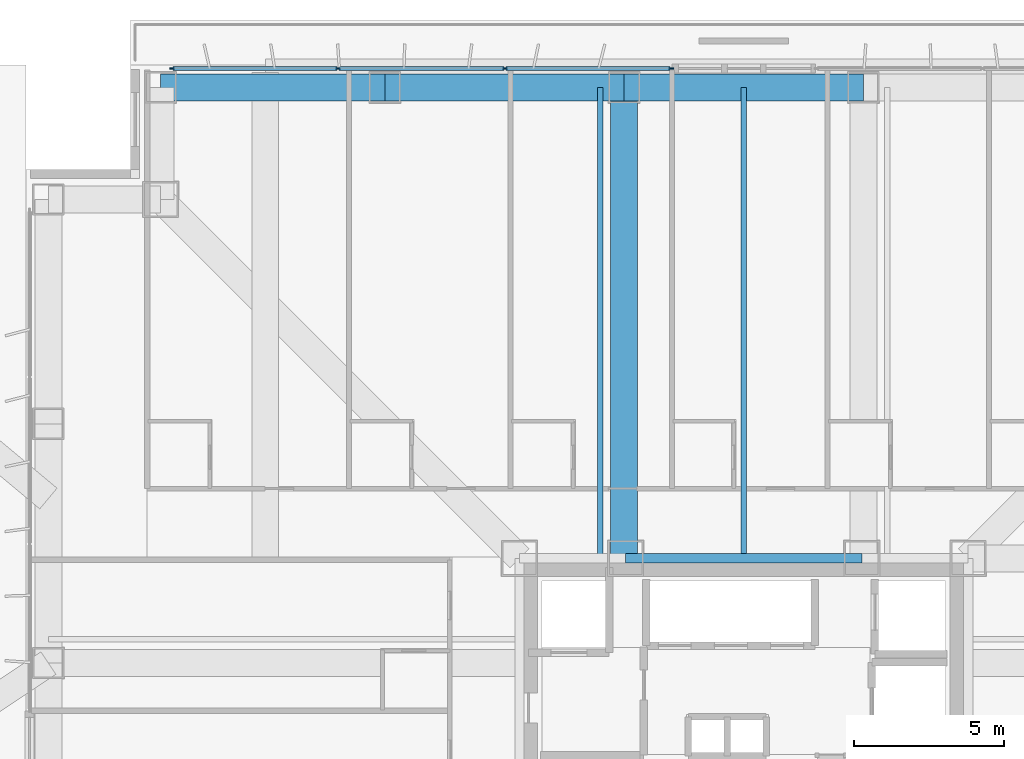
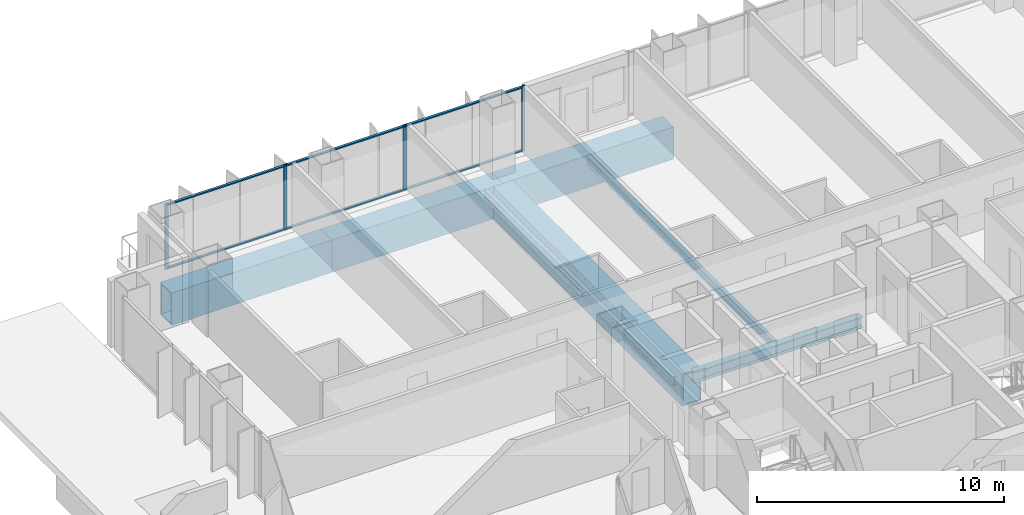
# One storey, part 11 of 24: 10 members, 7 beams, 1 element without a shape of its own.
"""IFC4 building model written with IfcOpenShell, lengths in metres."""

from ifc_helpers import new_model, si_unit, direction, frame, origin, origin_2d, place, context, subcontext, project, spatial, rectangle, hollow_rectangle, i_section, extrude, material, layer, layer_set, material_profile, profile_set, type_object, element, aggregate, save


model = new_model("IFC4")

# Units and contexts
model_context = context("Model", 3, precision=1e-05, world=origin(), true_north=direction((0.0, 1.0)))
body_context = subcontext(model_context, "Body", "Model", "MODEL_VIEW")
ifc_project = project(units=[si_unit("LENGTHUNIT", "METRE"), si_unit("AREAUNIT", "SQUARE_METRE"), si_unit("VOLUMEUNIT", "CUBIC_METRE"), si_unit("PLANEANGLEUNIT", "RADIAN"), si_unit("MASSUNIT", "GRAM", prefix="KILO")], contexts=[model_context])

# Site, building, storey
site_placement = place(None, origin())
site = spatial("IfcSite", under=ifc_project, at=site_placement, CompositionType="ELEMENT")
building_placement = place(site_placement, origin())
building = spatial("IfcBuilding", under=site, at=building_placement, Name="Trevonay Congress Spire", CompositionType="ELEMENT")
storey_placement = place(building_placement, frame((0.0, 0.0, 27.0)))
storey = spatial("IfcBuildingStorey", under=building, at=storey_placement, Name="L05", CompositionType="ELEMENT", Elevation=27.0)

# Beams
ifc_material_1 = material(Name="Steel ASTM A572 Grade 50", Category="steel")
ifc_material_profile_1 = material_profile(ifc_material_1, i_section(OverallWidth=0.31201171875, OverallDepth=0.54296875, WebThickness=0.0126953125, FlangeThickness=0.020263671875, FilletRadius=0.014892578125, at=origin_2d()), Name="W530x150")
ifc_profile_set_1 = profile_set([ifc_material_profile_1], Name="Steel ASTM A572 Grade 50")
beam_type_1 = type_object("IfcBeamType", Name="BM-GIRD-W530X150", PredefinedType="BEAM", material=ifc_profile_set_1)
beam_1_placement = place(storey_placement, frame((-3.949951171875, 7.5, -0.67138671875), z_axis=(1.0, 0.0, 0.0), x_axis=(0.0, 1.0, 0.0)))
element("IfcBeam", 1, at=beam_1_placement, inside=storey, type_object=beam_type_1, Name="L05 structural beam BM-L05-CR-N2", PredefinedType="BEAM", context=body_context, shape_type="SweptSolid", body=[
    extrude(i_section(OverallWidth=0.31201171875, OverallDepth=0.54296875, WebThickness=0.0126953125, FlangeThickness=0.020263671875, FilletRadius=0.014892578125, at=origin_2d()), origin(), (0.0, 0.0, 1.0), 7.89990234375),
])
ifc_material_profile_2 = material_profile(ifc_material_1, hollow_rectangle(XDim=0.89990234375, YDim=1.60009765625, WallThickness=0.06005859375, at=origin_2d()), Name="BOX 1600x900x60")
ifc_profile_set_2 = profile_set([ifc_material_profile_2], Name="Steel ASTM A572 Grade 50")
beam_type_2 = type_object("IfcBeamType", Name="BM-RING-BOX1600", PredefinedType="BEAM", material=ifc_profile_set_2)
beam_2_placement = place(storey_placement, frame((-19.5, 23.25, -1.199951171875), z_axis=(1.0, 0.0, 0.0), x_axis=(0.0, 1.0, 0.0)))
element("IfcBeam", 2, at=beam_2_placement, inside=storey, type_object=beam_type_2, Name="L05 structural beam BM-L05-PN1", PredefinedType="BEAM", context=body_context, shape_type="SweptSolid", body=[
    extrude(hollow_rectangle(XDim=0.89990234375, YDim=1.60009765625, WallThickness=0.06005859375, at=origin_2d()), origin(), (0.0, 0.0, 1.0), 7.5),
])
for number, where, z_axis, x_axis, name in (
    (3, (-12.0, 23.25, -1.199951171875), (1.0, 0.0, 0.0), (0.0, 1.0, 0.0), "L05 structural beam BM-L05-PN2"),
    (4, (-4.0, 23.25, -1.199951171875), (1.0, 0.0, 0.0), (0.0, 1.0, 0.0), "L05 structural beam BM-L05-PN3"),
):
    element("IfcBeam", number, at=place(storey_placement, frame(where, z_axis=z_axis, x_axis=x_axis)), inside=storey, type_object=beam_type_2, Name=name, PredefinedType="BEAM", context=body_context, shape_type="SweptSolid", body=[
        extrude(hollow_rectangle(XDim=0.89990234375, YDim=1.60009765625, WallThickness=0.06005859375, at=origin_2d()), origin(), (0.0, 0.0, 1.0), 8.0),
    ])
ifc_material_profile_3 = material_profile(ifc_material_1, hollow_rectangle(XDim=0.89990234375, YDim=1.60009765625, WallThickness=0.06005859375, at=origin_2d()), Name="BOX 1600x900x60")
ifc_profile_set_3 = profile_set([ifc_material_profile_3], Name="Steel ASTM A572 Grade 50")
beam_type_3 = type_object("IfcBeamType", Name="BM-XFER-BOX1600", PredefinedType="BEAM", material=ifc_profile_set_3)
beam_3_placement = place(storey_placement, frame((-4.0, 7.5, -1.199951171875), z_axis=(0.0, 1.0, 0.0), x_axis=(-1.0, 0.0, 0.0)))
element("IfcBeam", 5, at=beam_3_placement, inside=storey, type_object=beam_type_3, Name="L05 structural beam BM-L05-GN-M", PredefinedType="BEAM", context=body_context, shape_type="SweptSolid", body=[
    extrude(hollow_rectangle(XDim=0.89990234375, YDim=1.60009765625, WallThickness=0.06005859375, at=origin_2d()), origin(), (0.0, 0.0, 1.0), 15.75),
])

# Curtain wall, members
ifc_material_2 = material(Name="Pale Anodised Aluminium EN AW-6063-T6", Category="aluminium")
ifc_layer = layer(ifc_material_2, 0.179931640625, Name="Pale Anodised Aluminium EN AW-6063-T6")
ifc_layer_set = layer_set([ifc_layer], Name="Pale Anodised Aluminium EN AW-6063-T6")
curtain_wall_type = type_object("IfcCurtainWallType", Name="CW-SYS02-HOTEL-PALE-METAL", PredefinedType="NOTDEFINED", material=ifc_layer_set)
curtain_wall_placement = place(storey_placement, origin())
curtain_wall = element("IfcCurtainWall", 6, at=curtain_wall_placement, inside=storey, type_object=curtain_wall_type, Name="L05 NA unitised curtain wall", PredefinedType="NOTDEFINED")
ifc_material_profile_4 = material_profile(ifc_material_2, rectangle(XDim=0.06005859375, YDim=0.159912109375, at=origin_2d()), Name="CW-MULLION-160-ALUMINIUM")
ifc_profile_set_4 = profile_set([ifc_material_profile_4], Name="Pale Anodised Aluminium EN AW-6063-T6")
member_type_1 = type_object("IfcMemberType", Name="CW-MULLION-160-ALUMINIUM", PredefinedType="MULLION", material=ifc_profile_set_4)
member_1_placement = place(storey_placement, frame((-19.1201171875, 23.8798828125, 0.0), z_axis=(0.0, 0.0, 1.0), x_axis=(0.0, 1.0, 0.0)))
member_1 = element("IfcMember", 7, at=member_1_placement, type_object=member_type_1, Name="CW02 mullion 1", PredefinedType="MULLION", context=body_context, shape_type="SweptSolid", body=[
    extrude(rectangle(XDim=0.06005859375, YDim=0.159912109375, at=origin_2d()), origin(), (0.0, 0.0, 1.0), 3.25),
])
member_2_placement = place(storey_placement, frame((-13.566650390625, 23.8798828125, 0.0), z_axis=(0.0, 0.0, 1.0), x_axis=(0.0, 1.0, 0.0)))
member_2 = element("IfcMember", 8, at=member_2_placement, type_object=member_type_1, Name="CW02 mullion 2", PredefinedType="MULLION", context=body_context, shape_type="SweptSolid", body=[
    extrude(rectangle(XDim=0.06005859375, YDim=0.159912109375, at=origin_2d()), origin(), (0.0, 0.0, 1.0), 3.25),
])
member_3_placement = place(storey_placement, frame((-7.9833984375, 23.8798828125, 0.0), z_axis=(0.0, 0.0, 1.0), x_axis=(0.0, 1.0, 0.0)))
member_3 = element("IfcMember", 9, at=member_3_placement, type_object=member_type_1, Name="CW02 mullion 3", PredefinedType="MULLION", context=body_context, shape_type="SweptSolid", body=[
    extrude(rectangle(XDim=0.06005859375, YDim=0.159912109375, at=origin_2d()), origin(), (0.0, 0.0, 1.0), 3.25),
])
member_4_placement = place(storey_placement, frame((-2.429931640625, 23.8798828125, 0.0), z_axis=(0.0, 0.0, 1.0), x_axis=(0.0, 1.0, 0.0)))
member_4 = element("IfcMember", 10, at=member_4_placement, type_object=member_type_1, Name="CW02 mullion 4", PredefinedType="MULLION", context=body_context, shape_type="SweptSolid", body=[
    extrude(rectangle(XDim=0.06005859375, YDim=0.159912109375, at=origin_2d()), origin(), (0.0, 0.0, 1.0), 3.25),
])
ifc_material_profile_5 = material_profile(ifc_material_2, rectangle(XDim=0.1201171875, YDim=0.06005859375, at=origin_2d()), Name="CW-TRANSOM-120-ALUMINIUM")
ifc_profile_set_5 = profile_set([ifc_material_profile_5], Name="Pale Anodised Aluminium EN AW-6063-T6")
member_type_2 = type_object("IfcMemberType", Name="CW-TRANSOM-120-ALUMINIUM", PredefinedType="USERDEFINED", material=ifc_profile_set_5)
member_5_placement = place(storey_placement, frame((-19.090087890625, 23.8798828125, 0.06005859375), z_axis=(1.0, 0.0, 0.0), x_axis=(0.0, 1.0, 0.0)))
member_5 = element("IfcMember", 11, at=member_5_placement, type_object=member_type_2, Name="CW02 transom 1.1", ObjectType="TRANSOM", PredefinedType="USERDEFINED", context=body_context, shape_type="SweptSolid", body=[
    extrude(rectangle(XDim=0.1201171875, YDim=0.06005859375, at=origin_2d()), origin(), (0.0, 0.0, 1.0), 5.493408203125),
])
member_6_placement = place(storey_placement, frame((-19.090087890625, 23.8798828125, 3.18994140625), z_axis=(1.0, 0.0, 0.0), x_axis=(0.0, 1.0, 0.0)))
member_6 = element("IfcMember", 12, at=member_6_placement, type_object=member_type_2, Name="CW02 transom 1.2", ObjectType="TRANSOM", PredefinedType="USERDEFINED", context=body_context, shape_type="SweptSolid", body=[
    extrude(rectangle(XDim=0.1201171875, YDim=0.06005859375, at=origin_2d()), origin(), (0.0, 0.0, 1.0), 5.493408203125),
])
member_7_placement = place(storey_placement, frame((-13.53662109375, 23.8798828125, 0.06005859375), z_axis=(1.0, 0.0, 0.0), x_axis=(0.0, 1.0, 0.0)))
member_7 = element("IfcMember", 13, at=member_7_placement, type_object=member_type_2, Name="CW02 transom 2.1", ObjectType="TRANSOM", PredefinedType="USERDEFINED", context=body_context, shape_type="SweptSolid", body=[
    extrude(rectangle(XDim=0.1201171875, YDim=0.06005859375, at=origin_2d()), origin(), (0.0, 0.0, 1.0), 5.523193359375),
])
member_8_placement = place(storey_placement, frame((-13.53662109375, 23.8798828125, 3.18994140625), z_axis=(1.0, 0.0, 0.0), x_axis=(0.0, 1.0, 0.0)))
member_8 = element("IfcMember", 14, at=member_8_placement, type_object=member_type_2, Name="CW02 transom 2.2", ObjectType="TRANSOM", PredefinedType="USERDEFINED", context=body_context, shape_type="SweptSolid", body=[
    extrude(rectangle(XDim=0.1201171875, YDim=0.06005859375, at=origin_2d()), origin(), (0.0, 0.0, 1.0), 5.523193359375),
])
member_9_placement = place(storey_placement, frame((-7.953369140625, 23.8798828125, 0.06005859375), z_axis=(1.0, 0.0, 0.0), x_axis=(0.0, 1.0, 0.0)))
member_9 = element("IfcMember", 15, at=member_9_placement, type_object=member_type_2, Name="CW02 transom 3.1", ObjectType="TRANSOM", PredefinedType="USERDEFINED", context=body_context, shape_type="SweptSolid", body=[
    extrude(rectangle(XDim=0.1201171875, YDim=0.06005859375, at=origin_2d()), origin(), (0.0, 0.0, 1.0), 5.493408203125),
])
member_10_placement = place(storey_placement, frame((-7.953369140625, 23.8798828125, 3.18994140625), z_axis=(1.0, 0.0, 0.0), x_axis=(0.0, 1.0, 0.0)))
member_10 = element("IfcMember", 16, at=member_10_placement, type_object=member_type_2, Name="CW02 transom 3.2", ObjectType="TRANSOM", PredefinedType="USERDEFINED", context=body_context, shape_type="SweptSolid", body=[
    extrude(rectangle(XDim=0.1201171875, YDim=0.06005859375, at=origin_2d()), origin(), (0.0, 0.0, 1.0), 5.493408203125),
])
aggregate(curtain_wall, [member_1, member_2, member_3, member_4, member_5, member_6, member_7, member_8, member_9, member_10])

# Beams
ifc_material_profile_6 = material_profile(ifc_material_1, i_section(OverallWidth=0.177978515625, OverallDepth=0.406982421875, WebThickness=0.0078125, FlangeThickness=0.0126953125, FilletRadius=0.012939453125, at=origin_2d()), Name="W410x60")
ifc_profile_set_6 = profile_set([ifc_material_profile_6], Name="Steel ASTM A572 Grade 50")
beam_type_4 = type_object("IfcBeamType", Name="JS-COMP-W410X60", PredefinedType="JOIST", material=ifc_profile_set_6)
for number, where, z_axis, x_axis, name in (
    (17, (-4.800048828125, 7.5, -0.603515625), (0.0, 1.0, 0.0), (-1.0, 0.0, 0.0), "L05 structural beam JS-L05-NS-N1"),
    (18, (0.0, 7.5, -0.603515625), (0.0, 1.0, 0.0), (-1.0, 0.0, 0.0), "L05 structural beam JS-L05-NS-N2"),
):
    element("IfcBeam", number, at=place(storey_placement, frame(where, z_axis=z_axis, x_axis=x_axis)), inside=storey, type_object=beam_type_4, Name=name, PredefinedType="JOIST", context=body_context, shape_type="SweptSolid", body=[
        extrude(i_section(OverallWidth=0.177978515625, OverallDepth=0.406982421875, WebThickness=0.0078125, FlangeThickness=0.0126953125, FilletRadius=0.012939453125, at=origin_2d()), origin(), (0.0, 0.0, 1.0), 15.75),
    ])

save(model, "model.ifc")
